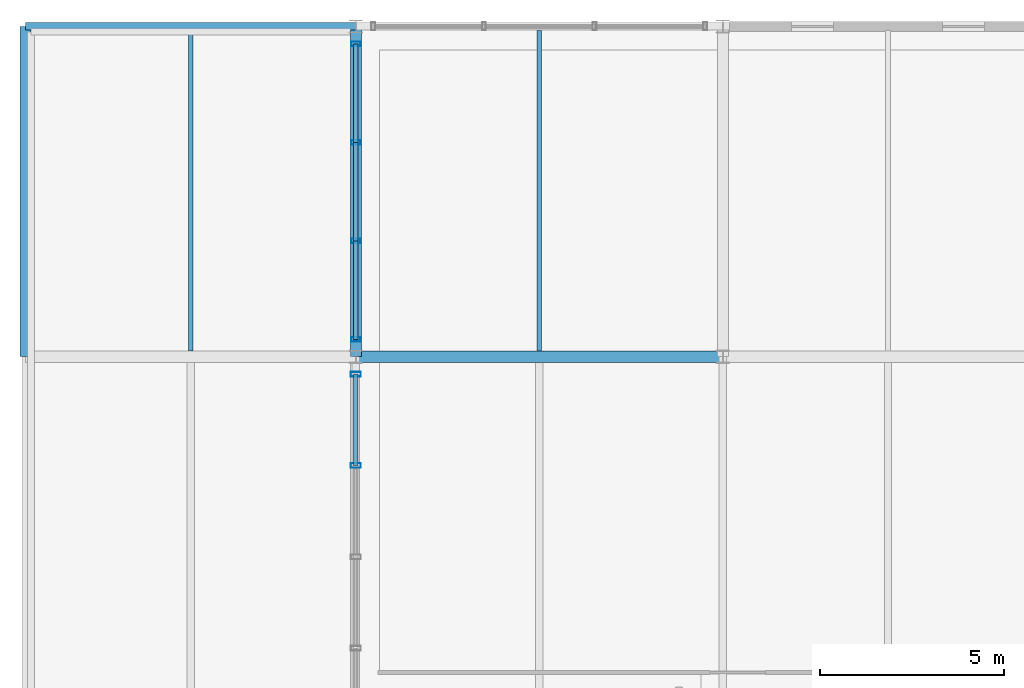
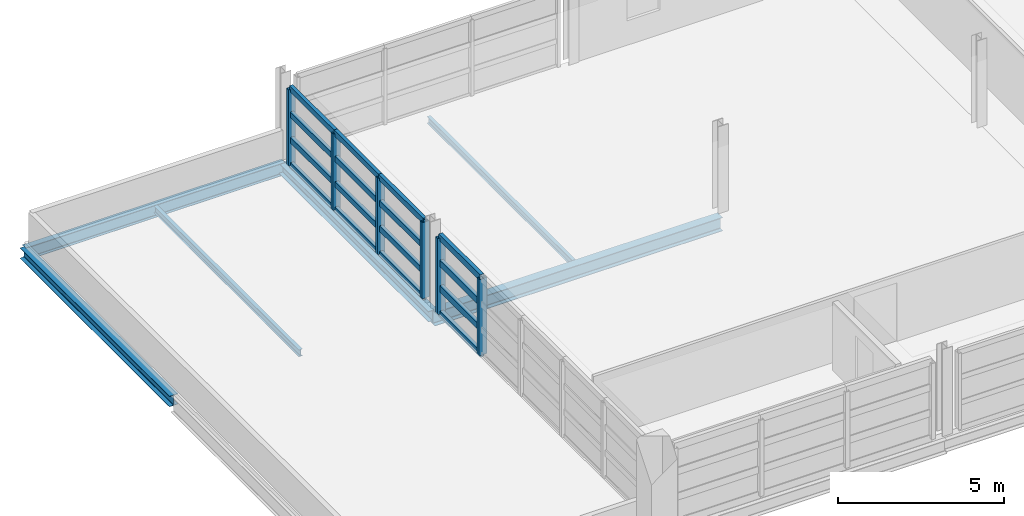
# One storey, part 10 of 30: 22 members, 6 beams, 2 elements without a shape of their own.
"""IFC4 building model written with IfcOpenShell, lengths in metres."""

from ifc_helpers import new_model, si_unit, direction, frame, origin, origin_2d, place, context, subcontext, project, spatial, hollow_rectangle, i_section, extrude, material, material_profile, profile_set, type_object, element, aggregate, save


model = new_model("IFC4")

# Units and contexts
model_context = context("Model", 3, precision=1e-05, world=origin(), true_north=direction((0.0, 1.0)))
body_context = subcontext(model_context, "Body", "Model", "MODEL_VIEW")
ifc_project = project(units=[si_unit("LENGTHUNIT", "METRE"), si_unit("AREAUNIT", "SQUARE_METRE"), si_unit("VOLUMEUNIT", "CUBIC_METRE"), si_unit("PLANEANGLEUNIT", "RADIAN"), si_unit("MASSUNIT", "GRAM", prefix="KILO")], contexts=[model_context])

# Site, building, storey
site_placement = place(None, origin())
site = spatial("IfcSite", under=ifc_project, at=site_placement, CompositionType="ELEMENT")
building_placement = place(site_placement, origin())
building = spatial("IfcBuilding", under=site, at=building_placement, Name="Chuanluo Vaults Station", CompositionType="ELEMENT")
storey_placement = place(building_placement, frame((0.0, 0.0, 17.60009765625)))
storey = spatial("IfcBuildingStorey", under=building, at=storey_placement, Name="L04", CompositionType="ELEMENT", Elevation=17.60009765625)

# Beams
ifc_material_1 = material(Name="Steel Q355C", Category="steel")
ifc_material_profile_1 = material_profile(ifc_material_1, i_section(OverallWidth=0.300048828125, OverallDepth=0.389892578125, WebThickness=0.010009765625, FlangeThickness=0.01611328125, FilletRadius=0.02001953125, at=origin_2d()))
ifc_profile_set_1 = profile_set([ifc_material_profile_1], Name="Steel Q355C")
beam_type_1 = type_object("IfcBeamType", Name="BM-GRD-400", PredefinedType="BEAM", material=ifc_profile_set_1)
for number, where, z_axis, x_axis, name in (
    (1, (117.0, 117.0, -0.360107421875), (0.0, 1.0, 0.0), (-1.0, 0.0, 0.0), "Floor girder BM:GY:L04:0899"),
    (2, (126.0, 117.0, -0.39501953125), (0.0, 1.0, 0.0), (-1.0, 0.0, 0.0), "Floor girder BM:GY:L04:0901"),
):
    element("IfcBeam", number, at=place(storey_placement, frame(where, z_axis=z_axis, x_axis=x_axis)), inside=storey, type_object=beam_type_1, Name=name, PredefinedType="BEAM", context=body_context, shape_type="SweptSolid", body=[
        extrude(i_section(OverallWidth=0.300048828125, OverallDepth=0.389892578125, WebThickness=0.010009765625, FlangeThickness=0.01611328125, FilletRadius=0.02001953125, at=origin_2d()), origin(), (0.0, 0.0, 1.0), 9.0),
    ])
ifc_material_2 = material(Name="Steel Q355C", Category="steel")
ifc_material_profile_2 = material_profile(ifc_material_2, i_section(OverallWidth=0.300048828125, OverallDepth=0.5, WebThickness=0.010986328125, FlangeThickness=0.01806640625, FilletRadius=0.02001953125, at=origin_2d()))
ifc_profile_set_2 = profile_set([ifc_material_profile_2], Name="Steel Q355C")
beam_type_2 = type_object("IfcBeamType", Name="BM-GRD-500", PredefinedType="USERDEFINED", material=ifc_profile_set_2)
beam_1_placement = place(storey_placement, frame((126.0, 117.0, -0.4501953125), z_axis=(1.0, 0.0, 0.0), x_axis=(0.0, 1.0, 0.0)))
element("IfcBeam", 3, at=beam_1_placement, inside=storey, type_object=beam_type_2, Name="Floor girder BM:GX:L04:0884", ObjectType="GIRDER", PredefinedType="USERDEFINED", context=body_context, shape_type="SweptSolid", body=[
    extrude(i_section(OverallWidth=0.300048828125, OverallDepth=0.5, WebThickness=0.010986328125, FlangeThickness=0.01806640625, FilletRadius=0.02001953125, at=origin_2d()), origin(), (0.0, 0.0, 1.0), 10.0),
])
ifc_material_3 = material(Name="Steel Q355C", Category="steel")
ifc_material_profile_3 = material_profile(ifc_material_3, i_section(OverallWidth=0.125, OverallDepth=0.25, WebThickness=0.006103515625, FlangeThickness=0.009033203125, FilletRadius=0.011962890625, at=origin_2d()))
ifc_profile_set_3 = profile_set([ifc_material_profile_3], Name="Steel Q355C")
beam_type_3 = type_object("IfcBeamType", Name="BM-SEC-250", PredefinedType="JOIST", material=ifc_profile_set_3)
for number, where, z_axis, x_axis, name in (
    (4, (121.5, 117.155029296875, -0.2900390625), (0.0, 1.0, 0.0), (-1.0, 0.0, 0.0), "Composite secondary joist 0260"),
    (5, (131.0, 117.155029296875, -0.3251953125), (0.0, 1.0, 0.0), (-1.0, 0.0, 0.0), "Composite secondary joist 0262"),
):
    element("IfcBeam", number, at=place(storey_placement, frame(where, z_axis=z_axis, x_axis=x_axis)), inside=storey, type_object=beam_type_3, Name=name, PredefinedType="JOIST", context=body_context, shape_type="SweptSolid", body=[
        extrude(i_section(OverallWidth=0.125, OverallDepth=0.25, WebThickness=0.006103515625, FlangeThickness=0.009033203125, FilletRadius=0.011962890625, at=origin_2d()), origin(), (0.0, 0.0, 1.0), 8.737548828125),
    ])
ifc_material_4 = material(Name="Steel Q355C", Category="steel")
ifc_material_profile_4 = material_profile(ifc_material_4, i_section(OverallWidth=0.205078125, OverallDepth=0.4599609375, WebThickness=0.009033203125, FlangeThickness=0.013916015625, FilletRadius=0.01611328125, at=origin_2d()))
ifc_profile_set_4 = profile_set([ifc_material_profile_4], Name="Steel Q355C")
beam_type_4 = type_object("IfcBeamType", Name="BM-SPN-450", PredefinedType="SPANDREL", material=ifc_profile_set_4)
beam_2_placement = place(storey_placement, frame((117.0, 126.0, -0.39501953125), z_axis=(1.0, 0.0, 0.0), x_axis=(0.0, 1.0, 0.0)))
element("IfcBeam", 6, at=beam_2_placement, inside=storey, type_object=beam_type_4, Name="Floor girder BM:GX:L04:0890", PredefinedType="SPANDREL", context=body_context, shape_type="SweptSolid", body=[
    extrude(i_section(OverallWidth=0.205078125, OverallDepth=0.4599609375, WebThickness=0.009033203125, FlangeThickness=0.013916015625, FilletRadius=0.01611328125, at=origin_2d()), origin(), (0.0, 0.0, 1.0), 9.0),
])

# Curtain wall, members
ifc_material_5 = material(Name="Anodised aluminium 6063-T6", Category="aluminium")
curtain_wall_type_1 = type_object("IfcCurtainWallType", Name="CW-SYS-15", PredefinedType="NOTDEFINED", material=ifc_material_5)
curtain_wall_1_placement = place(storey_placement, origin())
curtain_wall_1 = element("IfcCurtainWall", 7, at=curtain_wall_1_placement, inside=storey, type_object=curtain_wall_type_1, Name="Operations L04 facade CW", PredefinedType="NOTDEFINED")
ifc_material_6 = material(Name="Anodised aluminium 6063-T6", Category="aluminium")
ifc_material_profile_5 = material_profile(ifc_material_6, hollow_rectangle(XDim=0.1201171875, YDim=0.25, WallThickness=0.006103515625, at=origin_2d()))
ifc_profile_set_5 = profile_set([ifc_material_profile_5], Name="Anodised aluminium 6063-T6")
member_type_1 = type_object("IfcMemberType", Name="CWM-160", PredefinedType="MULLION", material=ifc_profile_set_5)
member_1_placement = place(storey_placement, frame((126.0, 117.47509765625, 0.0), z_axis=(0.0, 0.0, 1.0), x_axis=(0.0, 1.0, 0.0)))
member_1 = element("IfcMember", 8, at=member_1_placement, type_object=member_type_1, Name="Operations L04 facade CW mullion 1", PredefinedType="MULLION", context=body_context, shape_type="SweptSolid", body=[
    extrude(hollow_rectangle(XDim=0.1201171875, YDim=0.25, WallThickness=0.006103515625, at=origin_2d()), origin(), (0.0, 0.0, 1.0), 2.7998046875),
])
member_2_placement = place(storey_placement, frame((126.0, 120.158203125, 0.0), z_axis=(0.0, 0.0, 1.0), x_axis=(0.0, 1.0, 0.0)))
member_2 = element("IfcMember", 9, at=member_2_placement, type_object=member_type_1, Name="Operations L04 facade CW mullion 2", PredefinedType="MULLION", context=body_context, shape_type="SweptSolid", body=[
    extrude(hollow_rectangle(XDim=0.1201171875, YDim=0.25, WallThickness=0.006103515625, at=origin_2d()), origin(), (0.0, 0.0, 1.0), 2.7998046875),
])
member_3_placement = place(storey_placement, frame((126.0, 122.841796875, 0.0), z_axis=(0.0, 0.0, 1.0), x_axis=(0.0, 1.0, 0.0)))
member_3 = element("IfcMember", 10, at=member_3_placement, type_object=member_type_1, Name="Operations L04 facade CW mullion 3", PredefinedType="MULLION", context=body_context, shape_type="SweptSolid", body=[
    extrude(hollow_rectangle(XDim=0.1201171875, YDim=0.25, WallThickness=0.006103515625, at=origin_2d()), origin(), (0.0, 0.0, 1.0), 2.7998046875),
])
member_4_placement = place(storey_placement, frame((126.0, 125.52490234375, 0.0), z_axis=(0.0, 0.0, 1.0), x_axis=(0.0, 1.0, 0.0)))
member_4 = element("IfcMember", 11, at=member_4_placement, type_object=member_type_1, Name="Operations L04 facade CW mullion 4", PredefinedType="MULLION", context=body_context, shape_type="SweptSolid", body=[
    extrude(hollow_rectangle(XDim=0.1201171875, YDim=0.25, WallThickness=0.006103515625, at=origin_2d()), origin(), (0.0, 0.0, 1.0), 2.7998046875),
])

ifc_material_7 = material(Name="Anodised aluminium 6063-T6", Category="aluminium")
curtain_wall_type_2 = type_object("IfcCurtainWallType", Name="CW-SYS-14", PredefinedType="NOTDEFINED", material=ifc_material_7)
curtain_wall_2_placement = place(storey_placement, origin())
curtain_wall_2 = element("IfcCurtainWall", 12, at=curtain_wall_2_placement, inside=storey, type_object=curtain_wall_type_2, Name="Operations L04 facade CW", PredefinedType="NOTDEFINED")
ifc_material_8 = material(Name="Anodised aluminium 6063-T6", Category="aluminium")
ifc_material_profile_6 = material_profile(ifc_material_8, hollow_rectangle(XDim=0.1298828125, YDim=0.280029296875, WallThickness=0.007080078125, at=origin_2d()))
ifc_profile_set_6 = profile_set([ifc_material_profile_6], Name="Anodised aluminium 6063-T6")
member_type_2 = type_object("IfcMemberType", Name="CWM-180", PredefinedType="MULLION", material=ifc_profile_set_6)
member_5_placement = place(storey_placement, frame((126.0, 114.034912109375, 0.0), z_axis=(0.0, 0.0, 1.0), x_axis=(0.0, 1.0, 0.0)))
member_5 = element("IfcMember", 13, at=member_5_placement, type_object=member_type_2, Name="Operations L04 facade CW mullion 5", PredefinedType="MULLION", context=body_context, shape_type="SweptSolid", body=[
    extrude(hollow_rectangle(XDim=0.1298828125, YDim=0.280029296875, WallThickness=0.007080078125, at=origin_2d()), origin(), (0.0, 0.0, 1.0), 2.7998046875),
])
member_6_placement = place(storey_placement, frame((126.0, 116.52490234375, 0.0), z_axis=(0.0, 0.0, 1.0), x_axis=(0.0, 1.0, 0.0)))
member_6 = element("IfcMember", 14, at=member_6_placement, type_object=member_type_2, Name="Operations L04 facade CW mullion 6", PredefinedType="MULLION", context=body_context, shape_type="SweptSolid", body=[
    extrude(hollow_rectangle(XDim=0.1298828125, YDim=0.280029296875, WallThickness=0.007080078125, at=origin_2d()), origin(), (0.0, 0.0, 1.0), 2.7998046875),
])

# Member
ifc_material_9 = material(Name="Anodised aluminium 6063-T6", Category="aluminium")
ifc_material_profile_7 = material_profile(ifc_material_9, hollow_rectangle(XDim=0.1201171875, YDim=0.205078125, WallThickness=0.006103515625, at=origin_2d()))
ifc_profile_set_7 = profile_set([ifc_material_profile_7], Name="Anodised aluminium 6063-T6")
member_type_3 = type_object("IfcMemberType", Name="CWT-130", PredefinedType="USERDEFINED", material=ifc_profile_set_7)
member_7_placement = place(storey_placement, frame((126.0, 117.47509765625, 0.0), z_axis=(0.0, 1.0, 0.0), x_axis=(-1.0, 0.0, 0.0)))
member_7 = element("IfcMember", 15, at=member_7_placement, type_object=member_type_3, Name="Operations L04 facade CW transom 1.1", ObjectType="TRANSOM", PredefinedType="USERDEFINED", context=body_context, shape_type="SweptSolid", body=[
    extrude(hollow_rectangle(XDim=0.1201171875, YDim=0.205078125, WallThickness=0.006103515625, at=origin_2d()), origin(), (0.0, 0.0, 1.0), 2.68310546875),
])

member_8_placement = place(storey_placement, frame((126.0, 117.47509765625, 0.93310546875), z_axis=(0.0, 1.0, 0.0), x_axis=(-1.0, 0.0, 0.0)))
member_8 = element("IfcMember", 16, at=member_8_placement, type_object=member_type_3, Name="Operations L04 facade CW transom 1.2", ObjectType="TRANSOM", PredefinedType="USERDEFINED", context=body_context, shape_type="SweptSolid", body=[
    extrude(hollow_rectangle(XDim=0.1201171875, YDim=0.205078125, WallThickness=0.006103515625, at=origin_2d()), origin(), (0.0, 0.0, 1.0), 2.68310546875),
])

member_9_placement = place(storey_placement, frame((126.0, 117.47509765625, 1.86669921875), z_axis=(0.0, 1.0, 0.0), x_axis=(-1.0, 0.0, 0.0)))
member_9 = element("IfcMember", 17, at=member_9_placement, type_object=member_type_3, Name="Operations L04 facade CW transom 1.3", ObjectType="TRANSOM", PredefinedType="USERDEFINED", context=body_context, shape_type="SweptSolid", body=[
    extrude(hollow_rectangle(XDim=0.1201171875, YDim=0.205078125, WallThickness=0.006103515625, at=origin_2d()), origin(), (0.0, 0.0, 1.0), 2.68310546875),
])

member_10_placement = place(storey_placement, frame((126.0, 117.47509765625, 2.7998046875), z_axis=(0.0, 1.0, 0.0), x_axis=(-1.0, 0.0, 0.0)))
member_10 = element("IfcMember", 18, at=member_10_placement, type_object=member_type_3, Name="Operations L04 facade CW transom 1.4", ObjectType="TRANSOM", PredefinedType="USERDEFINED", context=body_context, shape_type="SweptSolid", body=[
    extrude(hollow_rectangle(XDim=0.1201171875, YDim=0.205078125, WallThickness=0.006103515625, at=origin_2d()), origin(), (0.0, 0.0, 1.0), 2.68310546875),
])

member_11_placement = place(storey_placement, frame((126.0, 120.158203125, 0.0), z_axis=(0.0, 1.0, 0.0), x_axis=(-1.0, 0.0, 0.0)))
member_11 = element("IfcMember", 19, at=member_11_placement, type_object=member_type_3, Name="Operations L04 facade CW transom 2.1", ObjectType="TRANSOM", PredefinedType="USERDEFINED", context=body_context, shape_type="SweptSolid", body=[
    extrude(hollow_rectangle(XDim=0.1201171875, YDim=0.205078125, WallThickness=0.006103515625, at=origin_2d()), origin(), (0.0, 0.0, 1.0), 2.68359375),
])

member_12_placement = place(storey_placement, frame((126.0, 120.158203125, 0.93310546875), z_axis=(0.0, 1.0, 0.0), x_axis=(-1.0, 0.0, 0.0)))
member_12 = element("IfcMember", 20, at=member_12_placement, type_object=member_type_3, Name="Operations L04 facade CW transom 2.2", ObjectType="TRANSOM", PredefinedType="USERDEFINED", context=body_context, shape_type="SweptSolid", body=[
    extrude(hollow_rectangle(XDim=0.1201171875, YDim=0.205078125, WallThickness=0.006103515625, at=origin_2d()), origin(), (0.0, 0.0, 1.0), 2.68359375),
])

member_13_placement = place(storey_placement, frame((126.0, 120.158203125, 1.86669921875), z_axis=(0.0, 1.0, 0.0), x_axis=(-1.0, 0.0, 0.0)))
member_13 = element("IfcMember", 21, at=member_13_placement, type_object=member_type_3, Name="Operations L04 facade CW transom 2.3", ObjectType="TRANSOM", PredefinedType="USERDEFINED", context=body_context, shape_type="SweptSolid", body=[
    extrude(hollow_rectangle(XDim=0.1201171875, YDim=0.205078125, WallThickness=0.006103515625, at=origin_2d()), origin(), (0.0, 0.0, 1.0), 2.68359375),
])

member_14_placement = place(storey_placement, frame((126.0, 120.158203125, 2.7998046875), z_axis=(0.0, 1.0, 0.0), x_axis=(-1.0, 0.0, 0.0)))
member_14 = element("IfcMember", 22, at=member_14_placement, type_object=member_type_3, Name="Operations L04 facade CW transom 2.4", ObjectType="TRANSOM", PredefinedType="USERDEFINED", context=body_context, shape_type="SweptSolid", body=[
    extrude(hollow_rectangle(XDim=0.1201171875, YDim=0.205078125, WallThickness=0.006103515625, at=origin_2d()), origin(), (0.0, 0.0, 1.0), 2.68359375),
])

member_15_placement = place(storey_placement, frame((126.0, 122.841796875, 0.0), z_axis=(0.0, 1.0, 0.0), x_axis=(-1.0, 0.0, 0.0)))
member_15 = element("IfcMember", 23, at=member_15_placement, type_object=member_type_3, Name="Operations L04 facade CW transom 3.1", ObjectType="TRANSOM", PredefinedType="USERDEFINED", context=body_context, shape_type="SweptSolid", body=[
    extrude(hollow_rectangle(XDim=0.1201171875, YDim=0.205078125, WallThickness=0.006103515625, at=origin_2d()), origin(), (0.0, 0.0, 1.0), 2.68310546875),
])

member_16_placement = place(storey_placement, frame((126.0, 122.841796875, 0.93310546875), z_axis=(0.0, 1.0, 0.0), x_axis=(-1.0, 0.0, 0.0)))
member_16 = element("IfcMember", 24, at=member_16_placement, type_object=member_type_3, Name="Operations L04 facade CW transom 3.2", ObjectType="TRANSOM", PredefinedType="USERDEFINED", context=body_context, shape_type="SweptSolid", body=[
    extrude(hollow_rectangle(XDim=0.1201171875, YDim=0.205078125, WallThickness=0.006103515625, at=origin_2d()), origin(), (0.0, 0.0, 1.0), 2.68310546875),
])

member_17_placement = place(storey_placement, frame((126.0, 122.841796875, 1.86669921875), z_axis=(0.0, 1.0, 0.0), x_axis=(-1.0, 0.0, 0.0)))
member_17 = element("IfcMember", 25, at=member_17_placement, type_object=member_type_3, Name="Operations L04 facade CW transom 3.3", ObjectType="TRANSOM", PredefinedType="USERDEFINED", context=body_context, shape_type="SweptSolid", body=[
    extrude(hollow_rectangle(XDim=0.1201171875, YDim=0.205078125, WallThickness=0.006103515625, at=origin_2d()), origin(), (0.0, 0.0, 1.0), 2.68310546875),
])

member_18_placement = place(storey_placement, frame((126.0, 122.841796875, 2.7998046875), z_axis=(0.0, 1.0, 0.0), x_axis=(-1.0, 0.0, 0.0)))
member_18 = element("IfcMember", 26, at=member_18_placement, type_object=member_type_3, Name="Operations L04 facade CW transom 3.4", ObjectType="TRANSOM", PredefinedType="USERDEFINED", context=body_context, shape_type="SweptSolid", body=[
    extrude(hollow_rectangle(XDim=0.1201171875, YDim=0.205078125, WallThickness=0.006103515625, at=origin_2d()), origin(), (0.0, 0.0, 1.0), 2.68310546875),
])

aggregate(curtain_wall_1, [member_1, member_2, member_3, member_4, member_7, member_8, member_9, member_10, member_11, member_12, member_13, member_14, member_15, member_16, member_17, member_18])

ifc_material_10 = material(Name="Anodised aluminium 6063-T6", Category="aluminium")
ifc_material_profile_8 = material_profile(ifc_material_10, hollow_rectangle(XDim=0.1298828125, YDim=0.22998046875, WallThickness=0.006103515625, at=origin_2d()))
ifc_profile_set_8 = profile_set([ifc_material_profile_8], Name="Anodised aluminium 6063-T6")
member_type_4 = type_object("IfcMemberType", Name="CWT-150", PredefinedType="USERDEFINED", material=ifc_profile_set_8)
member_19_placement = place(storey_placement, frame((126.0, 114.034912109375, 0.0), z_axis=(0.0, 1.0, 0.0), x_axis=(-1.0, 0.0, 0.0)))
member_19 = element("IfcMember", 27, at=member_19_placement, type_object=member_type_4, Name="Operations L04 facade CW transom 5.1", ObjectType="TRANSOM", PredefinedType="USERDEFINED", context=body_context, shape_type="SweptSolid", body=[
    extrude(hollow_rectangle(XDim=0.1298828125, YDim=0.22998046875, WallThickness=0.006103515625, at=origin_2d()), origin(), (0.0, 0.0, 1.0), 2.489990234375),
])

member_20_placement = place(storey_placement, frame((126.0, 114.034912109375, 0.93310546875), z_axis=(0.0, 1.0, 0.0), x_axis=(-1.0, 0.0, 0.0)))
member_20 = element("IfcMember", 28, at=member_20_placement, type_object=member_type_4, Name="Operations L04 facade CW transom 5.2", ObjectType="TRANSOM", PredefinedType="USERDEFINED", context=body_context, shape_type="SweptSolid", body=[
    extrude(hollow_rectangle(XDim=0.1298828125, YDim=0.22998046875, WallThickness=0.006103515625, at=origin_2d()), origin(), (0.0, 0.0, 1.0), 2.489990234375),
])

member_21_placement = place(storey_placement, frame((126.0, 114.034912109375, 1.86669921875), z_axis=(0.0, 1.0, 0.0), x_axis=(-1.0, 0.0, 0.0)))
member_21 = element("IfcMember", 29, at=member_21_placement, type_object=member_type_4, Name="Operations L04 facade CW transom 5.3", ObjectType="TRANSOM", PredefinedType="USERDEFINED", context=body_context, shape_type="SweptSolid", body=[
    extrude(hollow_rectangle(XDim=0.1298828125, YDim=0.22998046875, WallThickness=0.006103515625, at=origin_2d()), origin(), (0.0, 0.0, 1.0), 2.489990234375),
])

member_22_placement = place(storey_placement, frame((126.0, 114.034912109375, 2.7998046875), z_axis=(0.0, 1.0, 0.0), x_axis=(-1.0, 0.0, 0.0)))
member_22 = element("IfcMember", 30, at=member_22_placement, type_object=member_type_4, Name="Operations L04 facade CW transom 5.4", ObjectType="TRANSOM", PredefinedType="USERDEFINED", context=body_context, shape_type="SweptSolid", body=[
    extrude(hollow_rectangle(XDim=0.1298828125, YDim=0.22998046875, WallThickness=0.006103515625, at=origin_2d()), origin(), (0.0, 0.0, 1.0), 2.489990234375),
])

aggregate(curtain_wall_2, [member_5, member_6, member_19, member_20, member_21, member_22])

save(model, "model.ifc")
